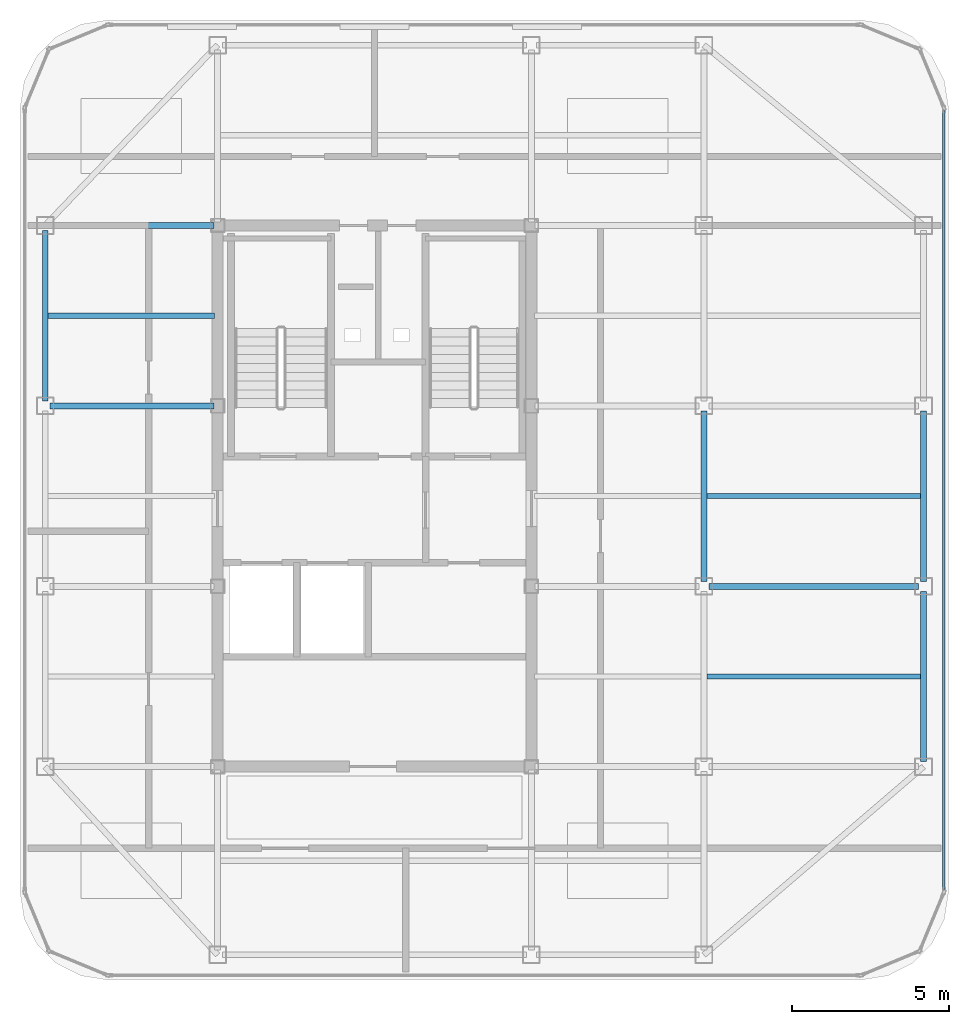
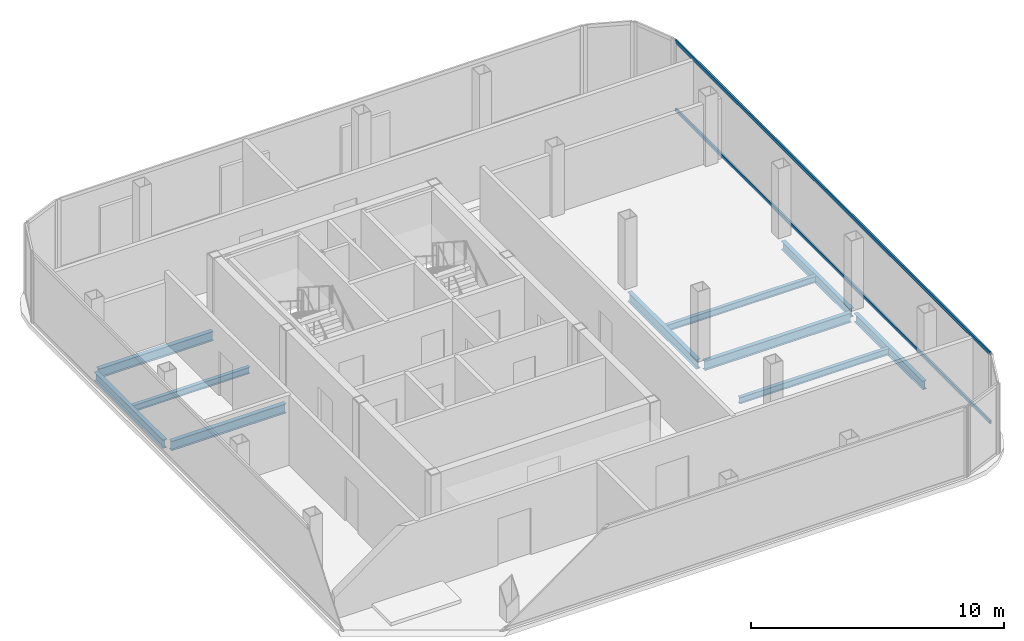
# One storey, part 5 of 11: 10 beams, 2 members, 1 element without a shape of its own.
"""IFC4 building model written with IfcOpenShell, lengths in metres."""

from ifc_helpers import new_model, si_unit, direction, frame, origin, origin_2d, place, context, subcontext, project, spatial, hollow_rectangle, i_section, extrude, source, transform, mapped, material, layer, layer_set, material_profile, profile_set, type_object, element, aggregate, save


model = new_model("IFC4")

# Units and contexts
model_context = context("Model", 3, precision=1e-05, world=origin(), true_north=direction((0.0, 1.0)))
body_context = subcontext(model_context, "Body", "Model", "MODEL_VIEW")
ifc_project = project(units=[si_unit("LENGTHUNIT", "METRE"), si_unit("AREAUNIT", "SQUARE_METRE"), si_unit("VOLUMEUNIT", "CUBIC_METRE"), si_unit("PLANEANGLEUNIT", "RADIAN"), si_unit("MASSUNIT", "GRAM", prefix="KILO")], contexts=[model_context])

# Site, building, storey
site_placement = place(None, origin())
site = spatial("IfcSite", under=ifc_project, at=site_placement, CompositionType="ELEMENT")
building_placement = place(site_placement, origin())
building = spatial("IfcBuilding", under=site, at=building_placement, Name="Kolveth Station Tower", CompositionType="ELEMENT")
storey_placement = place(building_placement, frame((0.0, 0.0, 282.10009765625)))
storey = spatial("IfcBuildingStorey", under=building, at=storey_placement, Name="L81", CompositionType="ELEMENT", Elevation=282.10009765625)

# Beams
ifc_material_1 = material(Name="Steel S355", Category="steel")
ifc_material_profile_1 = material_profile(ifc_material_1, i_section(OverallWidth=0.180908203125, OverallDepth=0.4169921875, WebThickness=0.010986328125, FlangeThickness=0.018310546875, at=origin_2d()), Name="W410x85")
ifc_profile_set_1 = profile_set([ifc_material_profile_1], Name="Steel S355")
beam_type_1 = type_object("IfcBeamType", Name="Beam_B8", PredefinedType="BEAM", material=ifc_profile_set_1)
shared_shape_1 = source(origin(), body_context, "Body", "SweptSolid", [
    extrude(i_section(OverallWidth=0.180908203125, OverallDepth=0.4169921875, WebThickness=0.010986328125, FlangeThickness=0.018310546875, at=origin_2d()), origin(), (0.0, 0.0, 1.0), 5.43017578125),
])
for number, where, z_axis, x_axis, name in (
    (1, (13.0, 23.159912109375, -0.4287109375), (0.0, 1.0, 0.0), (-1.0, 0.0, 0.0), "L81 Perimeter Spandrel BM-L81-PW-3"),
    (2, (41.0, 11.659912109375, -0.4287109375), (0.0, 1.0, 0.0), (-1.0, 0.0, 0.0), "L81 Perimeter Spandrel BM-L81-PE-1"),
    (3, (41.0, 17.409912109375, -0.4287109375), (0.0, 1.0, 0.0), (-1.0, 0.0, 0.0), "L81 Perimeter Spandrel BM-L81-PE-2"),
):
    element("IfcBeam", number, at=place(storey_placement, frame(where, z_axis=z_axis, x_axis=x_axis)), inside=storey, type_object=beam_type_1, Name=name, PredefinedType="BEAM", context=body_context, shape_type="MappedRepresentation", body=[
        mapped(shared_shape_1, transform((0.0, 0.0, 0.0), x_axis=(1.0, 0.0, 0.0), y_axis=(0.0, 1.0, 0.0), z_axis=(0.0, 0.0, 1.0), scale=1.0)),
    ])
ifc_material_profile_2 = material_profile(ifc_material_1, i_section(OverallWidth=0.19091796875, OverallDepth=0.4599609375, WebThickness=0.010009765625, FlangeThickness=0.01611328125, at=origin_2d()), Name="W460x82")
ifc_profile_set_2 = profile_set([ifc_material_profile_2], Name="Steel S355")
beam_type_2 = type_object("IfcBeamType", Name="Beam_B7", PredefinedType="BEAM", material=ifc_profile_set_2)
shared_shape_2 = source(origin(), body_context, "Body", "SweptSolid", [
    extrude(i_section(OverallWidth=0.19091796875, OverallDepth=0.4599609375, WebThickness=0.010009765625, FlangeThickness=0.01611328125, at=origin_2d()), origin(), (0.0, 0.0, 1.0), 6.68017578125),
])
beam_1_placement = place(storey_placement, frame((34.159912109375, 17.25, -0.4501953125), z_axis=(1.0, 0.0, 0.0), x_axis=(0.0, 1.0, 0.0)))
element("IfcBeam", 4, at=beam_1_placement, inside=storey, type_object=beam_type_2, Name="L81 Primary Girder BM-L81-GY172-4", PredefinedType="BEAM", context=body_context, shape_type="MappedRepresentation", body=[
    mapped(shared_shape_2, transform((0.0, 0.0, 0.0), x_axis=(1.0, 0.0, 0.0), y_axis=(0.0, 1.0, 0.0), z_axis=(0.0, 0.0, 1.0), scale=1.0)),
])
shared_shape_3 = source(origin(), body_context, "Body", "SweptSolid", [
    extrude(i_section(OverallWidth=0.19091796875, OverallDepth=0.4599609375, WebThickness=0.010009765625, FlangeThickness=0.01611328125, at=origin_2d()), origin(), (0.0, 0.0, 1.0), 5.22998046875),
])
for number, where, z_axis, x_axis, name in (
    (5, (13.159912109375, 23.0, -0.4501953125), (1.0, 0.0, 0.0), (0.0, 1.0, 0.0), "L81 Primary Girder BM-L81-GY230-1"),
    (6, (13.159912109375, 28.75, -0.4501953125), (1.0, 0.0, 0.0), (0.0, 1.0, 0.0), "L81 Primary Girder BM-L81-GY287-1"),
):
    element("IfcBeam", number, at=place(storey_placement, frame(where, z_axis=z_axis, x_axis=x_axis)), inside=storey, type_object=beam_type_2, Name=name, PredefinedType="BEAM", context=body_context, shape_type="MappedRepresentation", body=[
        mapped(shared_shape_3, transform((0.0, 0.0, 0.0), x_axis=(1.0, 0.0, 0.0), y_axis=(0.0, 1.0, 0.0), z_axis=(0.0, 0.0, 1.0), scale=1.0)),
    ])
shared_shape_4 = source(origin(), body_context, "Body", "SweptSolid", [
    extrude(i_section(OverallWidth=0.19091796875, OverallDepth=0.4599609375, WebThickness=0.010009765625, FlangeThickness=0.01611328125, at=origin_2d()), origin(), (0.0, 0.0, 1.0), 5.43017578125),
])
beam_2_placement = place(storey_placement, frame((34.0, 17.409912109375, -0.4501953125), z_axis=(0.0, 1.0, 0.0), x_axis=(-1.0, 0.0, 0.0)))
element("IfcBeam", 7, at=beam_2_placement, inside=storey, type_object=beam_type_2, Name="L81 Primary Girder BM-L81-GX340-3", PredefinedType="BEAM", context=body_context, shape_type="MappedRepresentation", body=[
    mapped(shared_shape_4, transform((0.0, 0.0, 0.0), x_axis=(1.0, 0.0, 0.0), y_axis=(0.0, 1.0, 0.0), z_axis=(0.0, 0.0, 1.0), scale=1.0)),
])
ifc_material_profile_3 = material_profile(ifc_material_1, i_section(OverallWidth=0.1650390625, OverallDepth=0.31005859375, WebThickness=0.005859375, FlangeThickness=0.009765625, at=origin_2d()), Name="W310x39")
ifc_profile_set_3 = profile_set([ifc_material_profile_3], Name="Steel S355")
beam_type_3 = type_object("IfcBeamType", Name="Beam_J3", PredefinedType="JOIST", material=ifc_profile_set_3)
shared_shape_5 = source(origin(), body_context, "Body", "SweptSolid", [
    extrude(i_section(OverallWidth=0.1650390625, OverallDepth=0.31005859375, WebThickness=0.005859375, FlangeThickness=0.009765625, at=origin_2d()), origin(), (0.0, 0.0, 1.0), 6.818115234375),
])
for number, where, z_axis, x_axis, name in (
    (8, (34.093505859375, 14.375, -0.375), (1.0, 0.0, 0.0), (0.0, 1.0, 0.0), "L81 Secondary Joist JST-L81-4-2"),
    (9, (34.093505859375, 20.125, -0.375), (1.0, 0.0, 0.0), (0.0, 1.0, 0.0), "L81 Secondary Joist JST-L81-4-3"),
):
    element("IfcBeam", number, at=place(storey_placement, frame(where, z_axis=z_axis, x_axis=x_axis)), inside=storey, type_object=beam_type_3, Name=name, PredefinedType="JOIST", context=body_context, shape_type="MappedRepresentation", body=[
        mapped(shared_shape_5, transform((0.0, 0.0, 0.0), x_axis=(1.0, 0.0, 0.0), y_axis=(0.0, 1.0, 0.0), z_axis=(0.0, 0.0, 1.0), scale=1.0)),
    ])
shared_shape_6 = source(origin(), body_context, "Body", "SweptSolid", [
    extrude(i_section(OverallWidth=0.1650390625, OverallDepth=0.31005859375, WebThickness=0.005859375, FlangeThickness=0.009765625, at=origin_2d()), origin(), (0.0, 0.0, 1.0), 5.318115234375),
])
beam_3_placement = place(storey_placement, frame((13.08837890625, 25.875, -0.375), z_axis=(1.0, 0.0, 0.0), x_axis=(0.0, 1.0, 0.0)))
element("IfcBeam", 10, at=beam_3_placement, inside=storey, type_object=beam_type_3, Name="L81 Secondary Joist JST-L81-1-4", PredefinedType="JOIST", context=body_context, shape_type="MappedRepresentation", body=[
    mapped(shared_shape_6, transform((0.0, 0.0, 0.0), x_axis=(1.0, 0.0, 0.0), y_axis=(0.0, 1.0, 0.0), z_axis=(0.0, 0.0, 1.0), scale=1.0)),
])

# Curtain wall, members
ifc_material_2 = material(Name="Black anodized aluminium 6063-T6 and dark crown glass", Category="aluminium")
ifc_layer = layer(ifc_material_2, 0.169921875)
ifc_layer_set = layer_set([ifc_layer], Name="Black anodized aluminium 6063-T6 and dark crown glass")
curtain_wall_type = type_object("IfcCurtainWallType", Name="CurtainWall_CW-CR", PredefinedType="NOTDEFINED", material=ifc_layer_set)
curtain_wall_placement = place(storey_placement, origin())
curtain_wall = element("IfcCurtainWall", 11, at=curtain_wall_placement, inside=storey, type_object=curtain_wall_type, Name="L81 Stepped Crown Curtain Wall 3", PredefinedType="NOTDEFINED")
ifc_material_3 = material(Name="Black anodized aluminium 6063-T6", Category="aluminium")
ifc_material_profile_4 = material_profile(ifc_material_3, hollow_rectangle(XDim=0.080078125, YDim=0.1650390625, WallThickness=0.0048828125, at=origin_2d()), Name="ALU-80x165x5")
ifc_profile_set_4 = profile_set([ifc_material_profile_4], Name="Black anodized aluminium 6063-T6")
member_type = type_object("IfcMemberType", Name="Transom_TR-CR", PredefinedType="USERDEFINED", material=ifc_profile_set_4)
shared_shape_7 = source(origin(), body_context, "Body", "SweptSolid", [
    extrude(hollow_rectangle(XDim=0.080078125, YDim=0.1650390625, WallThickness=0.0048828125, at=origin_2d()), origin(), (0.0, 0.0, 1.0), 24.830078125),
])
member_1_placement = place(storey_placement, frame((41.64990234375, 7.5849609375, 0.039794921875), z_axis=(0.0, 1.0, 0.0), x_axis=(-1.0, 0.0, 0.0)))
member_1 = element("IfcMember", 12, at=member_1_placement, type_object=member_type, Name="CW-CR transom 1.1", ObjectType="TRANSOM", PredefinedType="USERDEFINED", context=body_context, shape_type="MappedRepresentation", body=[
    mapped(shared_shape_7, transform((0.0, 0.0, 0.0), x_axis=(1.0, 0.0, 0.0), y_axis=(0.0, 1.0, 0.0), z_axis=(0.0, 0.0, 1.0), scale=1.0)),
])
member_2_placement = place(storey_placement, frame((41.64990234375, 7.5849609375, 3.33984375), z_axis=(0.0, 1.0, 0.0), x_axis=(-1.0, 0.0, 0.0)))
member_2 = element("IfcMember", 13, at=member_2_placement, type_object=member_type, Name="CW-CR transom 1.2", ObjectType="TRANSOM", PredefinedType="USERDEFINED", context=body_context, shape_type="MappedRepresentation", body=[
    mapped(shared_shape_7, transform((0.0, 0.0, 0.0), x_axis=(1.0, 0.0, 0.0), y_axis=(0.0, 1.0, 0.0), z_axis=(0.0, 0.0, 1.0), scale=1.0)),
])
aggregate(curtain_wall, [member_1, member_2])

save(model, "model.ifc")
